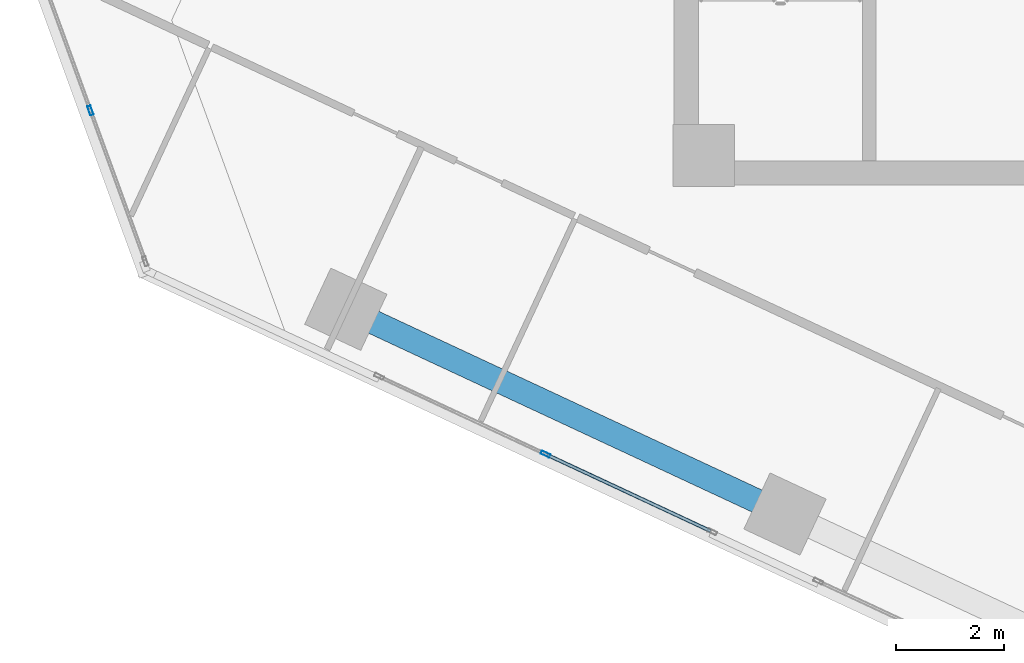
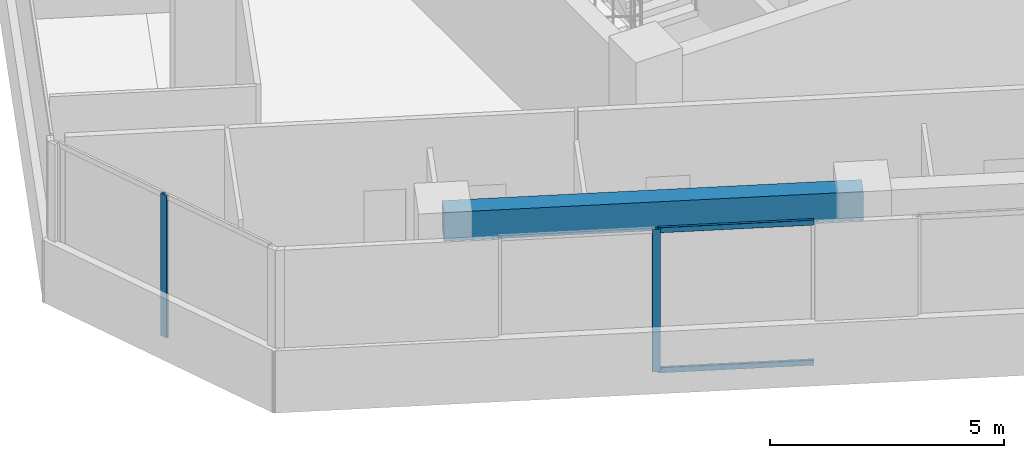
# One storey, part 3 of 23: 4 members, 1 beam, 2 elements without a shape of their own.
"""IFC4 building model written with IfcOpenShell, lengths in metres."""

import ifcopenshell
import ifcopenshell.guid

model = None  # the IFC model being written
_history = None  # IfcOwnerHistory: only IFC2X3 demands one
_inside = {}  # id of a spatial element -> (the spatial element, [elements in it])
_under = {}  # id of a project, library or spatial element -> (it, [spatial elements below it])
_declared = {}  # id of a project -> (the project, [libraries it declares])
_typed = {}  # id of a type object -> (the type object, [elements of that type])
_made_of = {}  # id of a material, layer set ... -> (it, [elements and type objects made of it])


def new_model(schema):
    """Start an empty IFC model of exactly this schema.

    Asked for "IFC4X3", IfcOpenShell would pick the latest addendum, in which some entities
    have other attributes; the version numbers below select the first issue.
    IFC2X3 requires an IfcOwnerHistory on every rooted entity: one is made here for all.
    """
    global model, _history
    if schema == "IFC4X3":
        model = ifcopenshell.file(schema_version=(4, 3, 0, 0))
    else:
        model = ifcopenshell.file(schema=schema)
    _inside.clear()
    _under.clear()
    _declared.clear()
    _typed.clear()
    _made_of.clear()
    _history = None
    if model.schema == "IFC2X3":
        org = make("IfcOrganization", Name="unknown")
        user = make(
            "IfcPersonAndOrganization",
            ThePerson=make("IfcPerson", FamilyName="unknown"),
            TheOrganization=org,
        )
        app = make(
            "IfcApplication",
            ApplicationDeveloper=org,
            Version="unknown",
            ApplicationFullName="unknown",
            ApplicationIdentifier="unknown",
        )
        _history = make(
            "IfcOwnerHistory",
            OwningUser=user,
            OwningApplication=app,
            ChangeAction="ADDED",
            CreationDate=0,
        )
    return model


def make(cls, **values):
    """One entity of the class cls with the attributes given. An attribute that is None is left unset."""
    return model.create_entity(
        cls, **{name: value for name, value in values.items() if value is not None}
    )


def rooted(cls, **values):
    """An entity with a GlobalId (a new one), such as an element, a storey or a relation."""
    return make(cls, GlobalId=ifcopenshell.guid.new(), OwnerHistory=_history, **values)


def si_unit(unit_type, name, prefix=None):
    """IfcSIUnit, for example si_unit("LENGTHUNIT", "METRE", prefix="MILLI")."""
    return make("IfcSIUnit", UnitType=unit_type, Prefix=prefix, Name=name)


def assignment(units):
    """IfcUnitAssignment: the units of a project."""
    return None if units is None else make("IfcUnitAssignment", Units=units)


def point(xyz):
    """IfcCartesianPoint."""
    return None if xyz is None else make("IfcCartesianPoint", Coordinates=xyz)


def direction(xyz):
    """IfcDirection."""
    return None if xyz is None else make("IfcDirection", DirectionRatios=xyz)


def frame(location, z_axis=None, x_axis=None):
    """IfcAxis2Placement3D, a coordinate frame: its origin and axes. An axis left out is left unset."""
    return make(
        "IfcAxis2Placement3D",
        Location=point(location),
        Axis=direction(z_axis),
        RefDirection=direction(x_axis),
    )


def frame_2d(location, x_axis=None):
    """IfcAxis2Placement2D, a coordinate frame in the plane: its origin and x axis."""
    return make(
        "IfcAxis2Placement2D", Location=point(location), RefDirection=direction(x_axis)
    )


def origin():
    """The frame at (0, 0, 0) with its axes left unset."""
    return frame((0.0, 0.0, 0.0))


def origin_2d():
    """The frame at (0, 0) in the plane with its x axis left unset."""
    return frame_2d((0.0, 0.0))


def place(relative_to, where):
    """IfcLocalPlacement: puts the frame where relative to a parent placement (None: the world)."""
    return make(
        "IfcLocalPlacement", PlacementRelTo=relative_to, RelativePlacement=where
    )


def context(
    kind, dimensions, precision=None, world=None, true_north=None, identifier=None
):
    """IfcGeometricRepresentationContext, for example the 3D "Model" context."""
    return make(
        "IfcGeometricRepresentationContext",
        ContextIdentifier=identifier,
        ContextType=kind,
        CoordinateSpaceDimension=dimensions,
        Precision=precision,
        WorldCoordinateSystem=world,
        TrueNorth=true_north,
    )


def subcontext(parent, identifier, kind, view, scale=None):
    """IfcGeometricRepresentationSubContext, for example "Body" below "Model"."""
    return make(
        "IfcGeometricRepresentationSubContext",
        ContextIdentifier=identifier,
        ContextType=kind,
        ParentContext=parent,
        TargetScale=scale,
        TargetView=view,
    )


def project(units=None, contexts=None):
    """IfcProject with its units and contexts."""
    return rooted(
        "IfcProject",
        Name="project",
        RepresentationContexts=contexts,
        UnitsInContext=assignment(units),
    )


def spatial(cls, under=None, at=None, **own):
    """A site, building, storey or space (cls), placed at a placement, below another one or the project."""
    s = rooted(cls, ObjectPlacement=at, **own)
    if under is not None:
        _under.setdefault(under.id(), (under, []))[1].append(s)
    return s


def profile(cls, at=None, kind="AREA", **sizes):
    """A parametric profile (cls). Its sizes go by their IFC names, for example OverallWidth=200.0."""
    return make(cls, ProfileType=kind, Position=at, **sizes)


def rectangle(**sizes):
    """IfcRectangleProfileDef."""
    return profile("IfcRectangleProfileDef", **sizes)


def hollow_rectangle(**sizes):
    """IfcRectangleHollowProfileDef."""
    return profile("IfcRectangleHollowProfileDef", **sizes)


def extrude(swept, where, along, depth):
    """IfcExtrudedAreaSolid: the profile swept, set in the frame where, extruded along a direction by depth."""
    return make(
        "IfcExtrudedAreaSolid",
        SweptArea=swept,
        Position=where,
        ExtrudedDirection=direction(along),
        Depth=depth,
    )


def shape(context_of_items, identifier, shape_type, items):
    """IfcShapeRepresentation: the items that make up one representation, for example the "Body"."""
    return make(
        "IfcShapeRepresentation",
        ContextOfItems=context_of_items,
        RepresentationIdentifier=identifier,
        RepresentationType=shape_type,
        Items=items,
    )


def source(mapping_origin, context_of_items, identifier, shape_type, items):
    """IfcRepresentationMap: a shape defined once, which mapped items show again and again."""
    return make(
        "IfcRepresentationMap",
        MappingOrigin=mapping_origin,
        MappedRepresentation=shape(context_of_items, identifier, shape_type, items),
    )


def transform(
    local_origin,
    x_axis=None,
    y_axis=None,
    z_axis=None,
    scale=None,
    scale2=None,
    scale3=None,
    uniform=True,
):
    """IfcCartesianTransformationOperator3D, or its non-uniform kind. x_axis, y_axis, z_axis: its Axis1, 2, 3."""
    if uniform:
        return make(
            "IfcCartesianTransformationOperator3D",
            Axis1=direction(x_axis),
            Axis2=direction(y_axis),
            LocalOrigin=point(local_origin),
            Scale=scale,
            Axis3=direction(z_axis),
        )
    return make(
        "IfcCartesianTransformationOperator3DnonUniform",
        Axis1=direction(x_axis),
        Axis2=direction(y_axis),
        LocalOrigin=point(local_origin),
        Scale=scale,
        Axis3=direction(z_axis),
        Scale2=scale2,
        Scale3=scale3,
    )


def mapped(mapping_source, mapping_target):
    """IfcMappedItem: shows the shape of a source again, moved by a transform."""
    return make(
        "IfcMappedItem", MappingSource=mapping_source, MappingTarget=mapping_target
    )


def material(Name=None, Category=None):
    """IfcMaterial."""
    return make("IfcMaterial", Name=Name, Category=Category)


def material_profile(
    of_material, cross_section, Name=None, Category=None, Priority=None
):
    """IfcMaterialProfile: a cross section and its material."""
    return make(
        "IfcMaterialProfile",
        Name=Name,
        Material=of_material,
        Profile=cross_section,
        Priority=Priority,
        Category=Category,
    )


def profile_set(profiles, Name=None, composite=None):
    """IfcMaterialProfileSet."""
    return make(
        "IfcMaterialProfileSet",
        Name=Name,
        MaterialProfiles=profiles,
        CompositeProfile=composite,
    )


def made_of(thing, what):
    """Note that an element or type object is made of a material, layer set ...; save() writes the relation."""
    if what is not None:
        _made_of.setdefault(what.id(), (what, []))[1].append(thing)
    return thing


def type_object(cls, material=None, **own):
    """A type object (cls), such as IfcWallType, which elements share."""
    return made_of(rooted(cls, **own), material)


def element(
    cls,
    number,
    at=None,
    inside=None,
    cuts=None,
    type_object=None,
    material=None,
    context=None,
    identifier="Body",
    shape_type=None,
    held_by="IfcProductDefinitionShape",
    body=None,
    shapes=None,
    **own,
):
    """One element of the class cls, such as IfcWall. Its Tag is "e" and its number.

    at: its placement. inside: the storey or other place that contains it. cuts: it is an
    opening in that element (IfcRelVoidsElement). A single representation is given by context,
    identifier, shape_type and body (its items); several are given by shapes. held_by: the class
    of the entity that holds the representations. save() writes the other relations.
    """
    e = rooted(cls, Tag="e%d" % number, ObjectPlacement=at, **own)
    if body is not None:
        shapes = [shape(context, identifier, shape_type, body)]
    if shapes is not None:
        e.Representation = make(held_by, Representations=shapes)
    if inside is not None:
        _inside.setdefault(inside.id(), (inside, []))[1].append(e)
    if cuts is not None:
        rooted(
            "IfcRelVoidsElement", RelatingBuildingElement=cuts, RelatedOpeningElement=e
        )
    if type_object is not None:
        _typed.setdefault(type_object.id(), (type_object, []))[1].append(e)
    return made_of(e, material)


def aggregate(whole, parts):
    """IfcRelAggregates: a whole, such as a stair, and the parts it consists of."""
    return rooted("IfcRelAggregates", RelatingObject=whole, RelatedObjects=parts)


def save(model, path):
    """Write the relations noted so far, then the file.

    IfcRelAggregates (storeys below a building ...), IfcRelContainedInSpatialStructure (elements
    in a storey), IfcRelDefinesByType, IfcRelAssociatesMaterial and IfcRelDeclares: one each for
    every whole, place, type object, material and project.
    """
    for whole, parts in _under.values():
        aggregate(whole, parts)
    for where, things in _inside.values():
        rooted(
            "IfcRelContainedInSpatialStructure",
            RelatedElements=things,
            RelatingStructure=where,
        )
    for kind, things in _typed.values():
        rooted("IfcRelDefinesByType", RelatedObjects=things, RelatingType=kind)
    for what, things in _made_of.values():
        rooted("IfcRelAssociatesMaterial", RelatedObjects=things, RelatingMaterial=what)
    for by, libraries in _declared.values():
        rooted("IfcRelDeclares", RelatingContext=by, RelatedDefinitions=libraries)
    model.write(path)


model = new_model("IFC4")

# Units and contexts
model_context = context("Model", 3, precision=1e-05, world=origin(), true_north=direction((0.0, 1.0)))
body_context = subcontext(model_context, "Body", "Model", "MODEL_VIEW")
ifc_project = project(units=[si_unit("LENGTHUNIT", "METRE"), si_unit("AREAUNIT", "SQUARE_METRE"), si_unit("VOLUMEUNIT", "CUBIC_METRE"), si_unit("PLANEANGLEUNIT", "RADIAN"), si_unit("MASSUNIT", "GRAM", prefix="KILO")], contexts=[model_context])

# Site, building, storey
site_placement = place(None, origin())
site = spatial("IfcSite", under=ifc_project, at=site_placement, CompositionType="ELEMENT")
building_placement = place(site_placement, origin())
building = spatial("IfcBuilding", under=site, at=building_placement, Name="Torre Montelarca", CompositionType="ELEMENT")
storey_placement = place(building_placement, frame((0.0, 0.0, 154.0)))
storey = spatial("IfcBuildingStorey", under=building, at=storey_placement, Name="L34", CompositionType="ELEMENT", Elevation=154.0)

# Beam
ifc_material_1 = material(Name="Concrete C55/67", Category="concrete")
ifc_material_profile_1 = material_profile(ifc_material_1, rectangle(XDim=0.449951171875, YDim=0.75, at=origin_2d()), Name="RCB450X750", Category="concrete")
ifc_profile_set_1 = profile_set([ifc_material_profile_1], Name="Concrete C55/67")
beam_type = type_object("IfcBeamType", Name="BM-SP-RC750-EXT", PredefinedType="SPANDREL", material=ifc_profile_set_1)
shared_shape_1 = source(origin(), body_context, "Body", "SweptSolid", [
    extrude(rectangle(XDim=0.449951171875, YDim=0.75, at=origin_2d()), origin(), (0.0, 0.0, 1.0), 9.0),
])
beam_placement = place(storey_placement, frame((2.902099609375, 21.694091796875, 3.5849609375), z_axis=(0.906311307826, -0.422610711302, 0.0), x_axis=(0.422610711302, 0.906311307826, 0.0)))
element("IfcBeam", 1, at=beam_placement, inside=storey, type_object=beam_type, Name="L34 Grid Girder X 9.0-18.0 at Y=14.8", PredefinedType="SPANDREL", context=body_context, shape_type="MappedRepresentation", body=[
    mapped(shared_shape_1, transform((0.0, 0.0, 0.0), scale=1.0)),
])

# Curtain wall, member
ifc_material_2 = material(Name="Insulated low-E laminated glass", Category="glass")
curtain_wall_type = type_object("IfcCurtainWallType", Name="CW-SYS-Z2", PredefinedType="USERDEFINED", material=ifc_material_2)
curtain_wall_1_placement = place(storey_placement, origin())
curtain_wall_1 = element("IfcCurtainWall", 2, at=curtain_wall_1_placement, inside=storey, type_object=curtain_wall_type, Name="L34 Curtain Wall Run CW-T3-L34-E01-B1", ObjectType="UNITISED GLAZING", PredefinedType="USERDEFINED")
ifc_material_3 = material(Name="Anodised aluminium AA 6063-T6", Category="aluminium")
ifc_material_profile_2 = material_profile(ifc_material_3, hollow_rectangle(XDim=0.06494140625, YDim=0.179931640625, WallThickness=0.00390625, InnerFilletRadius=0.00390625, OuterFilletRadius=0.008056640625, at=origin_2d()), Name="ALU65X180X4", Category="aluminium")
ifc_profile_set_2 = profile_set([ifc_material_profile_2], Name="Anodised aluminium AA 6063-T6")
member_type_1 = type_object("IfcMemberType", Name="CWM-ALU180", PredefinedType="MULLION", material=ifc_profile_set_2)
shared_shape_2 = source(origin(), body_context, "Body", "SweptSolid", [
    extrude(hollow_rectangle(XDim=0.06494140625, YDim=0.179931640625, WallThickness=0.00390625, InnerFilletRadius=0.00390625, OuterFilletRadius=0.008056640625, at=origin_2d()), origin(), (0.0, 0.0, 1.0), 3.719970703125),
])
member_1_placement = place(storey_placement, frame((6.61279296875, 19.00390625, 0.0), z_axis=(0.0, 0.0, 1.0), x_axis=(0.422611326824, 0.906311020809, 0.0)))
member_1 = element("IfcMember", 3, at=member_1_placement, type_object=member_type_1, Name="CW mullion 2", PredefinedType="MULLION", context=body_context, shape_type="MappedRepresentation", body=[
    mapped(shared_shape_2, transform((0.0, 0.0, 0.0), scale=1.0)),
])

curtain_wall_2_placement = place(storey_placement, origin())
curtain_wall_2 = element("IfcCurtainWall", 4, at=curtain_wall_2_placement, inside=storey, type_object=curtain_wall_type, Name="L34 Curtain Wall Run CW-T3-L34-E11-B1", ObjectType="UNITISED GLAZING", PredefinedType="USERDEFINED")
member_2_placement = place(storey_placement, frame((-1.83984375, 25.38623046875, 0.0), z_axis=(0.0, 0.0, 1.0), x_axis=(0.939694159282, 0.342015916313, 0.0)))
member_2 = element("IfcMember", 5, at=member_2_placement, type_object=member_type_1, Name="CW mullion 2", PredefinedType="MULLION", context=body_context, shape_type="MappedRepresentation", body=[
    mapped(shared_shape_2, transform((0.0, 0.0, 0.0), scale=1.0)),
])
aggregate(curtain_wall_2, [member_2])

# Member
ifc_material_profile_3 = material_profile(ifc_material_3, hollow_rectangle(XDim=0.06494140625, YDim=0.139892578125, WallThickness=0.00390625, InnerFilletRadius=0.00390625, OuterFilletRadius=0.008056640625, at=origin_2d()), Name="ALU65X140X4", Category="aluminium")
ifc_profile_set_3 = profile_set([ifc_material_profile_3], Name="Anodised aluminium AA 6063-T6")
member_type_2 = type_object("IfcMemberType", Name="CWT-ALU140", PredefinedType="USERDEFINED", material=ifc_profile_set_3)
shared_shape_3 = source(origin(), body_context, "Body", "SweptSolid", [
    extrude(hollow_rectangle(XDim=0.06494140625, YDim=0.139892578125, WallThickness=0.00390625, InnerFilletRadius=0.00390625, OuterFilletRadius=0.008056640625, at=origin_2d()), origin(), (0.0, 0.0, 1.0), 3.347412109375),
])
member_3_placement = place(storey_placement, frame((6.642333984375, 18.990234375, 0.032470703125), z_axis=(0.906330280678, -0.42257002062, 0.0), x_axis=(0.42257002062, 0.906330280678, 0.0)))
member_3 = element("IfcMember", 6, at=member_3_placement, type_object=member_type_2, Name="CW transom 2.1", ObjectType="TRANSOM", PredefinedType="USERDEFINED", context=body_context, shape_type="MappedRepresentation", body=[
    mapped(shared_shape_3, transform((0.0, 0.0, 0.0), scale=1.0)),
])

member_4_placement = place(storey_placement, frame((6.642333984375, 18.990234375, 3.6875), z_axis=(0.906330280678, -0.42257002062, 0.0), x_axis=(0.42257002062, 0.906330280678, 0.0)))
member_4 = element("IfcMember", 7, at=member_4_placement, type_object=member_type_2, Name="CW transom 2.2", ObjectType="TRANSOM", PredefinedType="USERDEFINED", context=body_context, shape_type="MappedRepresentation", body=[
    mapped(shared_shape_3, transform((0.0, 0.0, 0.0), scale=1.0)),
])

aggregate(curtain_wall_1, [member_1, member_3, member_4])

save(model, "model.ifc")
